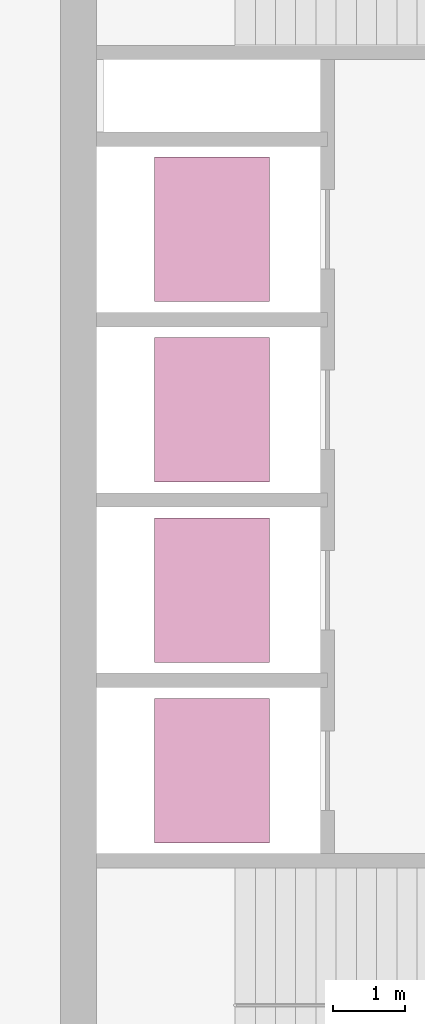
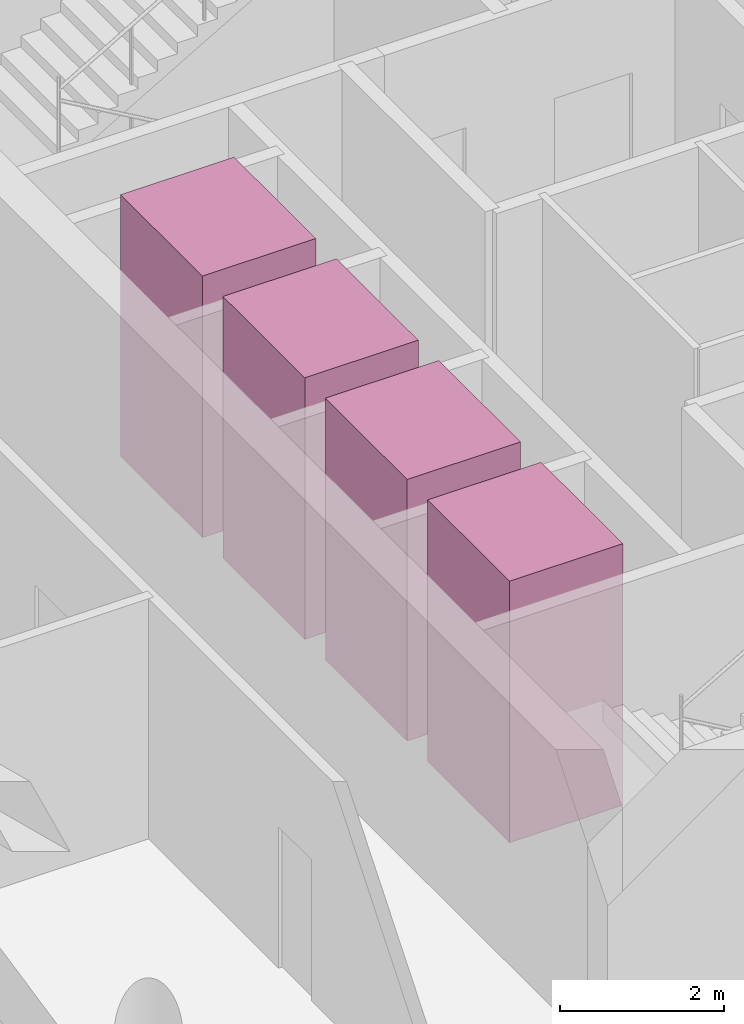
# One storey, part 8 of 8: 4 transport elements.
"""IFC4 building model written with IfcOpenShell, lengths in metres."""

from ifc_helpers import new_model, si_unit, direction, frame, origin, origin_2d, place, context, subcontext, project, spatial, rectangle, extrude, material, type_object, element, save


model = new_model("IFC4")

# Units and contexts
model_context = context("Model", 3, precision=1e-05, world=origin(), true_north=direction((0.0, 1.0)))
body_context = subcontext(model_context, "Body", "Model", "MODEL_VIEW")
ifc_project = project(units=[si_unit("LENGTHUNIT", "METRE"), si_unit("AREAUNIT", "SQUARE_METRE"), si_unit("VOLUMEUNIT", "CUBIC_METRE"), si_unit("PLANEANGLEUNIT", "RADIAN"), si_unit("MASSUNIT", "GRAM", prefix="KILO")], contexts=[model_context])

# Site, building, storey
site_placement = place(None, origin())
site = spatial("IfcSite", under=ifc_project, at=site_placement, CompositionType="ELEMENT")
building_placement = place(site_placement, origin())
building = spatial("IfcBuilding", under=site, at=building_placement, Name="Qaws Garden Tower", CompositionType="ELEMENT")
storey_placement = place(building_placement, frame((0.0, 0.0, 345.0)))
storey = spatial("IfcBuildingStorey", under=building, at=storey_placement, Name="L84", CompositionType="ELEMENT", Elevation=345.0)

# Transport elements
ifc_material = material(Name="Stainless steel 316", Category="steel")
transport_element_type = type_object("IfcTransportElementType", Name="Passenger lift car 2000x1600 1800 kg", PredefinedType="ELEVATOR", material=ifc_material)
for number, where, z_axis, x_axis, name in (
    (1, (10.10009765625, 13.64990234375, 0.0), (0.0, 0.0, 1.0), (1.0, 0.0, 0.0), "HR1"),
    (2, (10.10009765625, 16.14990234375, 0.0), (0.0, 0.0, 1.0), (1.0, 0.0, 0.0), "HR2"),
    (3, (10.10009765625, 18.64990234375, 0.0), (0.0, 0.0, 1.0), (1.0, 0.0, 0.0), "HR3"),
    (4, (10.10009765625, 21.14990234375, 0.0), (0.0, 0.0, 1.0), (1.0, 0.0, 0.0), "HR4"),
):
    element("IfcTransportElement", number, at=place(storey_placement, frame(where, z_axis=z_axis, x_axis=x_axis)), inside=storey, type_object=transport_element_type, Name=name, PredefinedType="ELEVATOR", context=body_context, shape_type="SweptSolid", body=[
        extrude(rectangle(XDim=1.60009765625, YDim=2.0, at=origin_2d()), origin(), (0.0, 0.0, 1.0), 3.89990234375),
    ])

save(model, "model.ifc")
